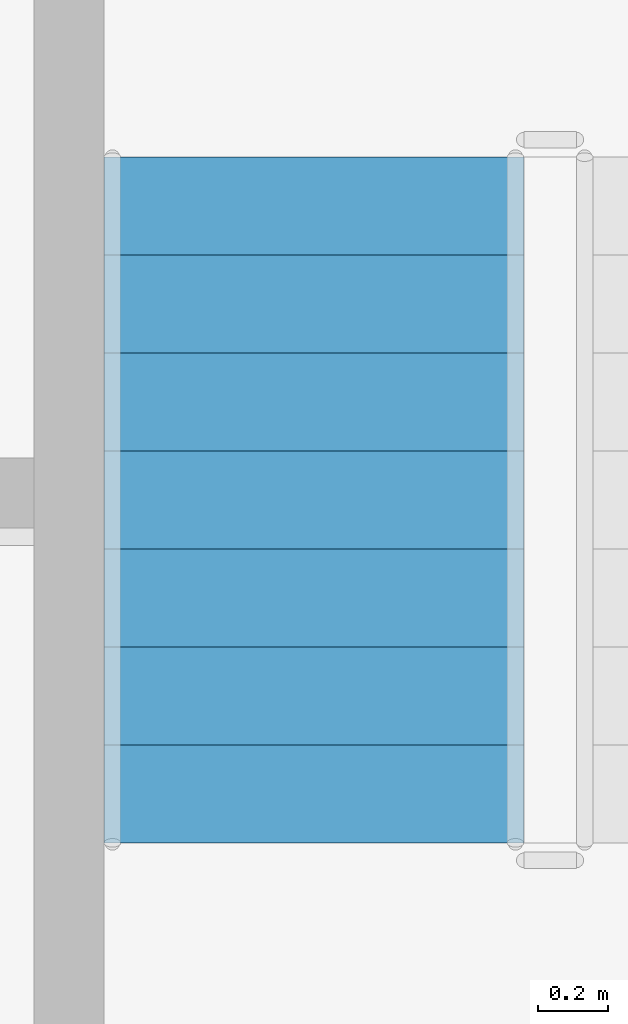
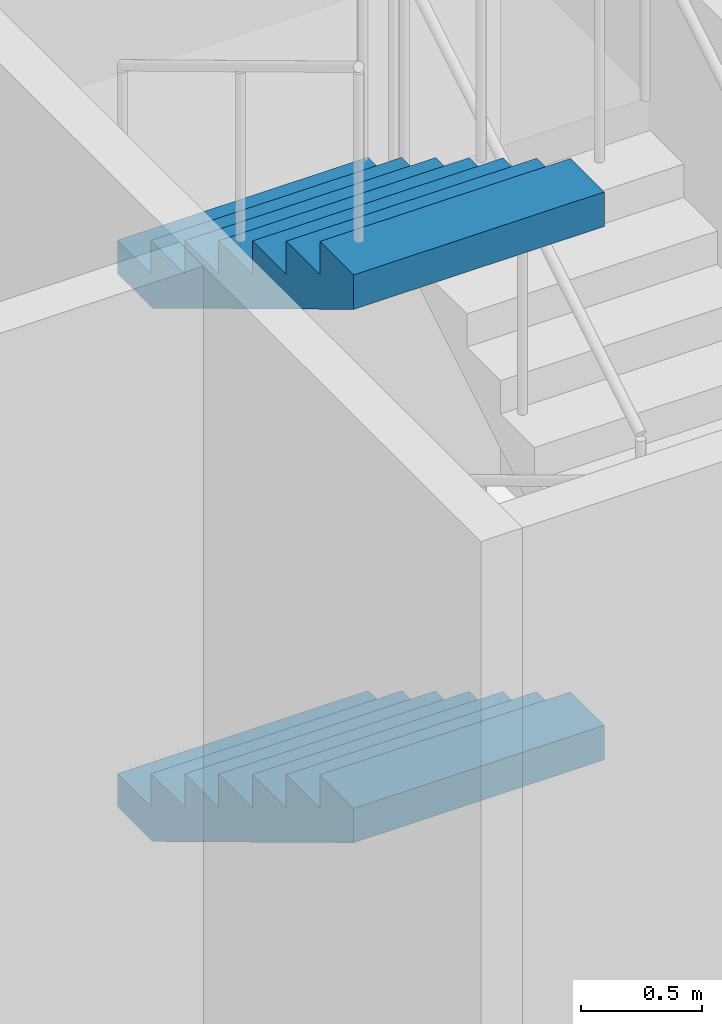
# One storey, part 65 of 101: 2 stair flights, 1 element without a shape of its own.
"""IFC4 building model written with IfcOpenShell, lengths in metres."""

from ifc_helpers import new_model, si_unit, direction, frame, origin, place, context, subcontext, project, spatial, triangles, material, type_object, element, aggregate, save


model = new_model("IFC4")

# Units and contexts
model_context = context("Model", 3, precision=1e-05, world=origin(), true_north=direction((0.0, 1.0)))
body_context = subcontext(model_context, "Body", "Model", "MODEL_VIEW")
ifc_project = project(units=[si_unit("LENGTHUNIT", "METRE"), si_unit("AREAUNIT", "SQUARE_METRE"), si_unit("VOLUMEUNIT", "CUBIC_METRE"), si_unit("PLANEANGLEUNIT", "RADIAN"), si_unit("MASSUNIT", "GRAM", prefix="KILO")], contexts=[model_context])

# Site, building, storey
site_placement = place(None, origin())
site = spatial("IfcSite", under=ifc_project, at=site_placement, CompositionType="ELEMENT")
building_placement = place(site_placement, origin())
building = spatial("IfcBuilding", under=site, at=building_placement, Name="Magnolia Steps Interchange", CompositionType="ELEMENT")
storey_placement = place(building_placement, frame((0.0, 0.0, -5.39990234375)))
storey = spatial("IfcBuildingStorey", under=building, at=storey_placement, Name="B1", CompositionType="ELEMENT", Elevation=-5.39990234375)

# Stair, stair flights
ifc_material_1 = material(Name="Concrete C40", Category="concrete")
stair_type = type_object("IfcStairType", Name="Exit stair 1200", PredefinedType="HALF_TURN_STAIR", material=ifc_material_1)
stair_placement = place(storey_placement, origin())
stair = element("IfcStair", 1, at=stair_placement, inside=storey, type_object=stair_type, Name="B1 Stair 22", PredefinedType="HALF_TURN_STAIR")
ifc_material_2 = material(Name="Concrete C40", Category="concrete")
stair_flight_type = type_object("IfcStairFlightType", Name="Exit stair flight", PredefinedType="STRAIGHT", material=ifc_material_2)
stair_flight_1_placement = place(storey_placement, frame((137.14990234375, 40.659912109375, 1.349853515625), z_axis=(0.0, 0.0, 1.0), x_axis=(0.0, -1.0, 0.0)))
stair_flight_1 = element("IfcStairFlight", 2, at=stair_flight_1_placement, type_object=stair_flight_type, Name="Stair 22 flight 2", NumberOfRisers=8, NumberOfTreads=7, PredefinedType="STRAIGHT", RiserHeight=0.16875, TreadLength=0.28, context=body_context, shape_type="Tessellation", body=[
    triangles([(0.0, -0.5999755859375, 0.0), (0.29052734375, -0.5999755859375, 0.0), (1.9599609375, -0.5999755859375, 1.00634765625), (1.9599609375, -0.5999755859375, 1.18115234375), (1.679931640625, -0.5999755859375, 1.18115234375), (1.679931640625, -0.5999755859375, 1.012451171875), (1.39990234375, -0.5999755859375, 1.012451171875), (1.39990234375, -0.5999755859375, 0.84375), (1.1201171875, -0.5999755859375, 0.84375), (1.1201171875, -0.5999755859375, 0.675048828125), (0.840087890625, -0.5999755859375, 0.675048828125), (0.840087890625, -0.5999755859375, 0.50634765625), (0.56005859375, -0.5999755859375, 0.50634765625), (0.56005859375, -0.5999755859375, 0.33740234375), (0.280029296875, -0.5999755859375, 0.33740234375), (0.280029296875, -0.5999755859375, 0.168701171875), (0.0, -0.5999755859375, 0.168701171875), (0.0, 0.5999755859375, 0.0), (0.29052734375, 0.5999755859375, 0.0), (1.9599609375, 0.5999755859375, 1.00634765625), (1.9599609375, 0.5999755859375, 1.18115234375), (1.679931640625, 0.5999755859375, 1.18115234375), (1.679931640625, 0.5999755859375, 1.012451171875), (1.39990234375, 0.5999755859375, 1.012451171875), (1.39990234375, 0.5999755859375, 0.84375), (1.1201171875, 0.5999755859375, 0.84375), (1.1201171875, 0.5999755859375, 0.675048828125), (0.840087890625, 0.5999755859375, 0.675048828125), (0.840087890625, 0.5999755859375, 0.50634765625), (0.56005859375, 0.5999755859375, 0.50634765625), (0.56005859375, 0.5999755859375, 0.33740234375), (0.280029296875, 0.5999755859375, 0.33740234375), (0.280029296875, 0.5999755859375, 0.168701171875), (0.0, 0.5999755859375, 0.168701171875), (0.0, 0.0, 0.0), (0.0, 0.0, 0.04217529296875), (0.0, 0.0, 0.0843505859375), (0.0, 0.0, 0.12652587890625), (0.0, 0.0, 0.168701171875), (0.0, -0.05, 0.0), (0.0, -0.05, 0.168701171875), (0.0, 0.05, 0.0), (0.0, 0.05, 0.168701171875), (0.046671549479166664, 0.0, 0.168701171875), (0.09334309895833333, 0.0, 0.168701171875), (0.1400146484375, 0.0, 0.168701171875), (0.18668619791666666, 0.0, 0.168701171875), (0.23335774739583334, 0.0, 0.168701171875), (0.280029296875, 0.0, 0.168701171875), (0.280029296875, -0.05, 0.168701171875), (0.280029296875, 0.05, 0.168701171875), (0.280029296875, 0.0, 0.21087646484375), (0.280029296875, 0.0, 0.2530517578125), (0.280029296875, 0.0, 0.29522705078125), (0.280029296875, 0.0, 0.33740234375), (0.280029296875, -0.05, 0.33740234375), (0.280029296875, 0.05, 0.33740234375), (0.3267008463541667, 0.0, 0.33740234375), (0.3733723958333333, 0.0, 0.33740234375), (0.4200439453125, 0.0, 0.33740234375), (0.46671549479166663, 0.0, 0.33740234375), (0.5133870442708334, 0.0, 0.33740234375), (0.56005859375, 0.0, 0.33740234375), (0.56005859375, -0.05, 0.33740234375), (0.56005859375, 0.05, 0.33740234375), (0.56005859375, 0.0, 0.379638671875), (0.56005859375, 0.0, 0.421875), (0.56005859375, 0.0, 0.464111328125), (0.56005859375, 0.0, 0.50634765625), (0.56005859375, -0.05, 0.50634765625), (0.56005859375, 0.05, 0.50634765625), (0.6067301432291666, 0.0, 0.50634765625), (0.6534016927083334, 0.0, 0.50634765625), (0.7000732421875, 0.0, 0.50634765625), (0.7467447916666666, 0.0, 0.50634765625), (0.7934163411458334, 0.0, 0.50634765625), (0.840087890625, 0.0, 0.50634765625), (0.840087890625, -0.05, 0.50634765625), (0.840087890625, 0.05, 0.50634765625), (0.840087890625, 0.0, 0.54852294921875), (0.840087890625, 0.0, 0.5906982421875), (0.840087890625, 0.0, 0.63287353515625), (0.840087890625, 0.0, 0.675048828125), (0.840087890625, -0.05, 0.675048828125), (0.840087890625, 0.05, 0.675048828125), (0.8867594401041666, 0.0, 0.675048828125), (0.9334309895833334, 0.0, 0.675048828125), (0.9801025390625, 0.0, 0.675048828125), (1.0267740885416667, 0.0, 0.675048828125), (1.0734456380208333, 0.0, 0.675048828125), (1.1201171875, 0.0, 0.675048828125), (1.1201171875, -0.05, 0.675048828125), (1.1201171875, 0.05, 0.675048828125), (1.1201171875, 0.0, 0.71722412109375), (1.1201171875, 0.0, 0.7593994140625), (1.1201171875, 0.0, 0.80157470703125), (1.1201171875, 0.0, 0.84375), (1.1201171875, -0.05, 0.84375), (1.1201171875, 0.05, 0.84375), (1.1900634765625, 0.0, 0.84375), (1.260009765625, 0.0, 0.84375), (1.3299560546875, 0.0, 0.84375), (1.39990234375, 0.0, 0.84375), (1.39990234375, -0.05, 0.84375), (1.39990234375, 0.05, 0.84375), (1.39990234375, 0.0, 0.88592529296875), (1.39990234375, 0.0, 0.9281005859375), (1.39990234375, 0.0, 0.97027587890625), (1.39990234375, 0.0, 1.012451171875), (1.39990234375, -0.05, 1.012451171875), (1.39990234375, 0.05, 1.012451171875), (1.4465738932291667, 0.0, 1.012451171875), (1.4932454427083333, 0.0, 1.012451171875), (1.5399169921875, 0.0, 1.012451171875), (1.5865885416666667, 0.0, 1.012451171875), (1.6332600911458333, 0.0, 1.012451171875), (1.679931640625, 0.0, 1.012451171875), (1.679931640625, -0.05, 1.012451171875), (1.679931640625, 0.05, 1.012451171875), (1.679931640625, 0.0, 1.05462646484375), (1.679931640625, 0.0, 1.0968017578125), (1.679931640625, 0.0, 1.13897705078125), (1.679931640625, 0.0, 1.18115234375), (1.679931640625, -0.05, 1.18115234375), (1.679931640625, 0.05, 1.18115234375), (1.7266031901041667, 0.0, 1.18115234375), (1.7732747395833333, 0.0, 1.18115234375), (1.8199462890625, 0.0, 1.18115234375), (1.8666178385416667, 0.0, 1.18115234375), (1.9132893880208333, 0.0, 1.18115234375), (1.9599609375, 0.0, 1.18115234375), (1.9599609375, -0.05, 1.18115234375), (1.9599609375, 0.05, 1.18115234375), (1.9599609375, 0.0, 1.137451171875), (1.9599609375, 0.0, 1.09375), (1.9599609375, 0.0, 1.050048828125), (1.9599609375, 0.0, 1.00634765625), (1.9599609375, -0.05, 1.00634765625), (1.9599609375, 0.05, 1.00634765625), (1.9003383091517858, 0.0, 0.9704066685267857), (1.8407156808035714, 0.0, 0.9344656808035714), (1.7810930524553572, 0.0, 0.8985246930803571), (1.7214704241071428, 0.0, 0.8625837053571428), (1.6618477957589286, 0.0, 0.8266427176339286), (1.6022251674107144, 0.0, 0.7907017299107143), (1.5426025390625, 0.0, 0.7547607421875), (1.4829799107142856, 0.0, 0.7188197544642857), (1.4233572823660714, 0.0, 0.6828787667410714), (1.3637346540178572, 0.0, 0.6469377790178572), (1.3041120256696428, 0.0, 0.6109967912946428), (1.2444893973214286, 0.0, 0.5750558035714286), (1.1848667689732144, 0.0, 0.5391148158482143), (1.125244140625, 0.0, 0.503173828125), (1.0656215122767856, 0.0, 0.4672328404017857), (1.0059988839285714, 0.0, 0.4312918526785714), (0.9463762555803572, 0.0, 0.3953508649553571), (0.8867536272321428, 0.0, 0.3594098772321429), (0.8271309988839286, 0.0, 0.3234688895089286), (0.7675083705357142, 0.0, 0.2875279017857143), (0.7078857421875, 0.0, 0.2515869140625), (0.6482631138392858, 0.0, 0.2156459263392857), (0.5886404854910714, 0.0, 0.1797049386160714), (0.5290178571428572, 0.0, 0.1437639508928571), (0.4693952287946428, 0.0, 0.1078229631696429), (0.4097726004464286, 0.0, 0.0718819754464286), (0.3501499720982142, 0.0, 0.0359409877232143), (0.29052734375, 0.0, 0.0), (0.29052734375, -0.05, 0.0), (0.29052734375, 0.05, 0.0), (0.24210611979166666, 0.0, 0.0), (0.19368489583333331, 0.0, 0.0), (0.145263671875, 0.0, 0.0), (0.09684244791666666, 0.0, 0.0), (0.04842122395833334, 0.0, 0.0)], [[1, 2, 3], [3, 4, 5], [3, 5, 6], [3, 6, 7], [3, 7, 8], [8, 9, 10], [3, 8, 10], [10, 11, 12], [3, 10, 12], [12, 13, 14], [3, 12, 14], [14, 15, 16], [3, 14, 16], [1, 3, 16], [16, 17, 1], [18, 20, 19], [20, 22, 21], [20, 23, 22], [20, 24, 23], [20, 25, 24], [25, 27, 26], [20, 27, 25], [27, 29, 28], [20, 29, 27], [29, 31, 30], [20, 31, 29], [31, 33, 32], [20, 33, 31], [18, 33, 20], [33, 18, 34], [1, 17, 41], [1, 41, 40], [40, 36, 35], [40, 37, 36], [40, 41, 37], [41, 38, 37], [41, 39, 38], [18, 43, 34], [18, 42, 43], [42, 35, 36], [42, 36, 37], [42, 37, 43], [43, 37, 38], [43, 38, 39], [17, 16, 50], [17, 50, 41], [41, 44, 39], [41, 45, 44], [41, 46, 45], [41, 50, 46], [50, 47, 46], [50, 48, 47], [50, 49, 48], [34, 51, 33], [34, 43, 51], [43, 39, 44], [43, 44, 45], [43, 45, 46], [43, 46, 51], [51, 46, 47], [51, 47, 48], [51, 48, 49], [16, 15, 56], [16, 56, 50], [50, 52, 49], [50, 53, 52], [50, 56, 53], [56, 54, 53], [56, 55, 54], [33, 57, 32], [33, 51, 57], [51, 49, 52], [51, 52, 53], [51, 53, 57], [57, 53, 54], [57, 54, 55], [15, 14, 64], [15, 64, 56], [56, 58, 55], [56, 59, 58], [56, 60, 59], [56, 64, 60], [64, 61, 60], [64, 62, 61], [64, 63, 62], [32, 65, 31], [32, 57, 65], [57, 55, 58], [57, 58, 59], [57, 59, 60], [57, 60, 65], [65, 60, 61], [65, 61, 62], [65, 62, 63], [14, 13, 70], [14, 70, 64], [64, 66, 63], [64, 67, 66], [64, 70, 67], [70, 68, 67], [70, 69, 68], [31, 71, 30], [31, 65, 71], [65, 63, 66], [65, 66, 67], [65, 67, 71], [71, 67, 68], [71, 68, 69], [13, 12, 78], [13, 78, 70], [70, 72, 69], [70, 73, 72], [70, 74, 73], [70, 78, 74], [78, 75, 74], [78, 76, 75], [78, 77, 76], [30, 79, 29], [30, 71, 79], [71, 69, 72], [71, 72, 73], [71, 73, 74], [71, 74, 79], [79, 74, 75], [79, 75, 76], [79, 76, 77], [12, 11, 84], [12, 84, 78], [78, 80, 77], [78, 81, 80], [78, 84, 81], [84, 82, 81], [84, 83, 82], [29, 85, 28], [29, 79, 85], [79, 77, 80], [79, 80, 81], [79, 81, 85], [85, 81, 82], [85, 82, 83], [11, 10, 92], [11, 92, 84], [84, 86, 83], [84, 87, 86], [84, 88, 87], [84, 92, 88], [92, 89, 88], [92, 90, 89], [92, 91, 90], [28, 93, 27], [28, 85, 93], [85, 83, 86], [85, 86, 87], [85, 87, 88], [85, 88, 93], [93, 88, 89], [93, 89, 90], [93, 90, 91], [10, 9, 98], [10, 98, 92], [92, 94, 91], [92, 95, 94], [92, 98, 95], [98, 96, 95], [98, 97, 96], [27, 99, 26], [27, 93, 99], [93, 91, 94], [93, 94, 95], [93, 95, 99], [99, 95, 96], [99, 96, 97], [9, 8, 104], [9, 104, 98], [98, 100, 97], [98, 101, 100], [98, 104, 101], [104, 102, 101], [104, 103, 102], [26, 105, 25], [26, 99, 105], [99, 97, 100], [99, 100, 101], [99, 101, 105], [105, 101, 102], [105, 102, 103], [8, 7, 110], [8, 110, 104], [104, 106, 103], [104, 107, 106], [104, 110, 107], [110, 108, 107], [110, 109, 108], [25, 111, 24], [25, 105, 111], [105, 103, 106], [105, 106, 107], [105, 107, 111], [111, 107, 108], [111, 108, 109], [7, 6, 118], [7, 118, 110], [110, 112, 109], [110, 113, 112], [110, 114, 113], [110, 118, 114], [118, 115, 114], [118, 116, 115], [118, 117, 116], [24, 119, 23], [24, 111, 119], [111, 109, 112], [111, 112, 113], [111, 113, 114], [111, 114, 119], [119, 114, 115], [119, 115, 116], [119, 116, 117], [6, 5, 124], [6, 124, 118], [118, 120, 117], [118, 121, 120], [118, 124, 121], [124, 122, 121], [124, 123, 122], [23, 125, 22], [23, 119, 125], [119, 117, 120], [119, 120, 121], [119, 121, 125], [125, 121, 122], [125, 122, 123], [5, 4, 132], [5, 132, 124], [124, 126, 123], [124, 127, 126], [124, 128, 127], [124, 132, 128], [132, 129, 128], [132, 130, 129], [132, 131, 130], [22, 133, 21], [22, 125, 133], [125, 123, 126], [125, 126, 127], [125, 127, 128], [125, 128, 133], [133, 128, 129], [133, 129, 130], [133, 130, 131], [4, 3, 138], [4, 138, 132], [132, 134, 131], [132, 135, 134], [132, 138, 135], [138, 136, 135], [138, 137, 136], [21, 139, 20], [21, 133, 139], [133, 131, 134], [133, 134, 135], [133, 135, 139], [139, 135, 136], [139, 136, 137], [3, 2, 168], [3, 168, 138], [138, 140, 137], [138, 141, 140], [138, 142, 141], [138, 143, 142], [138, 144, 143], [138, 145, 144], [138, 146, 145], [138, 147, 146], [138, 148, 147], [138, 149, 148], [138, 150, 149], [138, 151, 150], [138, 152, 151], [138, 153, 152], [138, 168, 153], [168, 154, 153], [168, 155, 154], [168, 156, 155], [168, 157, 156], [168, 158, 157], [168, 159, 158], [168, 160, 159], [168, 161, 160], [168, 162, 161], [168, 163, 162], [168, 164, 163], [168, 165, 164], [168, 166, 165], [168, 167, 166], [20, 169, 19], [20, 139, 169], [139, 137, 140], [139, 140, 141], [139, 141, 142], [139, 142, 143], [139, 143, 144], [139, 144, 145], [139, 145, 146], [139, 146, 147], [139, 147, 148], [139, 148, 149], [139, 149, 150], [139, 150, 151], [139, 151, 152], [139, 152, 153], [139, 153, 169], [169, 153, 154], [169, 154, 155], [169, 155, 156], [169, 156, 157], [169, 157, 158], [169, 158, 159], [169, 159, 160], [169, 160, 161], [169, 161, 162], [169, 162, 163], [169, 163, 164], [169, 164, 165], [169, 165, 166], [169, 166, 167], [2, 1, 40], [2, 40, 168], [168, 170, 167], [168, 171, 170], [168, 172, 171], [168, 40, 172], [40, 173, 172], [40, 174, 173], [40, 35, 174], [19, 42, 18], [19, 169, 42], [169, 167, 170], [169, 170, 171], [169, 171, 172], [169, 172, 42], [42, 172, 173], [42, 173, 174], [42, 174, 35]], closed=True),
])
stair_flight_2_placement = place(storey_placement, frame((137.14990234375, 40.659912109375, 4.0498046875), z_axis=(0.0, 0.0, 1.0), x_axis=(0.0, -1.0, 0.0)))
stair_flight_2 = element("IfcStairFlight", 3, at=stair_flight_2_placement, type_object=stair_flight_type, Name="Stair 22 flight 4", NumberOfRisers=8, NumberOfTreads=7, PredefinedType="STRAIGHT", RiserHeight=0.16875, TreadLength=0.28, context=body_context, shape_type="Tessellation", body=[
    triangles([(0.0, -0.5999755859375, 0.0), (0.29052734375, -0.5999755859375, 0.0), (1.9599609375, -0.5999755859375, 1.00634765625), (1.9599609375, -0.5999755859375, 1.18115234375), (1.679931640625, -0.5999755859375, 1.18115234375), (1.679931640625, -0.5999755859375, 1.012451171875), (1.39990234375, -0.5999755859375, 1.012451171875), (1.39990234375, -0.5999755859375, 0.84375), (1.1201171875, -0.5999755859375, 0.84375), (1.1201171875, -0.5999755859375, 0.675048828125), (0.840087890625, -0.5999755859375, 0.675048828125), (0.840087890625, -0.5999755859375, 0.50634765625), (0.56005859375, -0.5999755859375, 0.50634765625), (0.56005859375, -0.5999755859375, 0.33740234375), (0.280029296875, -0.5999755859375, 0.33740234375), (0.280029296875, -0.5999755859375, 0.168701171875), (0.0, -0.5999755859375, 0.168701171875), (0.0, 0.5999755859375, 0.0), (0.29052734375, 0.5999755859375, 0.0), (1.9599609375, 0.5999755859375, 1.00634765625), (1.9599609375, 0.5999755859375, 1.18115234375), (1.679931640625, 0.5999755859375, 1.18115234375), (1.679931640625, 0.5999755859375, 1.012451171875), (1.39990234375, 0.5999755859375, 1.012451171875), (1.39990234375, 0.5999755859375, 0.84375), (1.1201171875, 0.5999755859375, 0.84375), (1.1201171875, 0.5999755859375, 0.675048828125), (0.840087890625, 0.5999755859375, 0.675048828125), (0.840087890625, 0.5999755859375, 0.50634765625), (0.56005859375, 0.5999755859375, 0.50634765625), (0.56005859375, 0.5999755859375, 0.33740234375), (0.280029296875, 0.5999755859375, 0.33740234375), (0.280029296875, 0.5999755859375, 0.168701171875), (0.0, 0.5999755859375, 0.168701171875), (0.0, 0.0, 0.0), (0.0, 0.0, 0.04217529296875), (0.0, 0.0, 0.0843505859375), (0.0, 0.0, 0.12652587890625), (0.0, 0.0, 0.168701171875), (0.0, -0.05, 0.0), (0.0, -0.05, 0.168701171875), (0.0, 0.05, 0.0), (0.0, 0.05, 0.168701171875), (0.046671549479166664, 0.0, 0.168701171875), (0.09334309895833333, 0.0, 0.168701171875), (0.1400146484375, 0.0, 0.168701171875), (0.18668619791666666, 0.0, 0.168701171875), (0.23335774739583334, 0.0, 0.168701171875), (0.280029296875, 0.0, 0.168701171875), (0.280029296875, -0.05, 0.168701171875), (0.280029296875, 0.05, 0.168701171875), (0.280029296875, 0.0, 0.21087646484375), (0.280029296875, 0.0, 0.2530517578125), (0.280029296875, 0.0, 0.29522705078125), (0.280029296875, 0.0, 0.33740234375), (0.280029296875, -0.05, 0.33740234375), (0.280029296875, 0.05, 0.33740234375), (0.3267008463541667, 0.0, 0.33740234375), (0.3733723958333333, 0.0, 0.33740234375), (0.4200439453125, 0.0, 0.33740234375), (0.46671549479166663, 0.0, 0.33740234375), (0.5133870442708334, 0.0, 0.33740234375), (0.56005859375, 0.0, 0.33740234375), (0.56005859375, -0.05, 0.33740234375), (0.56005859375, 0.05, 0.33740234375), (0.56005859375, 0.0, 0.379638671875), (0.56005859375, 0.0, 0.421875), (0.56005859375, 0.0, 0.464111328125), (0.56005859375, 0.0, 0.50634765625), (0.56005859375, -0.05, 0.50634765625), (0.56005859375, 0.05, 0.50634765625), (0.6067301432291666, 0.0, 0.50634765625), (0.6534016927083334, 0.0, 0.50634765625), (0.7000732421875, 0.0, 0.50634765625), (0.7467447916666666, 0.0, 0.50634765625), (0.7934163411458334, 0.0, 0.50634765625), (0.840087890625, 0.0, 0.50634765625), (0.840087890625, -0.05, 0.50634765625), (0.840087890625, 0.05, 0.50634765625), (0.840087890625, 0.0, 0.54852294921875), (0.840087890625, 0.0, 0.5906982421875), (0.840087890625, 0.0, 0.63287353515625), (0.840087890625, 0.0, 0.675048828125), (0.840087890625, -0.05, 0.675048828125), (0.840087890625, 0.05, 0.675048828125), (0.8867594401041666, 0.0, 0.675048828125), (0.9334309895833334, 0.0, 0.675048828125), (0.9801025390625, 0.0, 0.675048828125), (1.0267740885416667, 0.0, 0.675048828125), (1.0734456380208333, 0.0, 0.675048828125), (1.1201171875, 0.0, 0.675048828125), (1.1201171875, -0.05, 0.675048828125), (1.1201171875, 0.05, 0.675048828125), (1.1201171875, 0.0, 0.71722412109375), (1.1201171875, 0.0, 0.7593994140625), (1.1201171875, 0.0, 0.80157470703125), (1.1201171875, 0.0, 0.84375), (1.1201171875, -0.05, 0.84375), (1.1201171875, 0.05, 0.84375), (1.1900634765625, 0.0, 0.84375), (1.260009765625, 0.0, 0.84375), (1.3299560546875, 0.0, 0.84375), (1.39990234375, 0.0, 0.84375), (1.39990234375, -0.05, 0.84375), (1.39990234375, 0.05, 0.84375), (1.39990234375, 0.0, 0.88592529296875), (1.39990234375, 0.0, 0.9281005859375), (1.39990234375, 0.0, 0.97027587890625), (1.39990234375, 0.0, 1.012451171875), (1.39990234375, -0.05, 1.012451171875), (1.39990234375, 0.05, 1.012451171875), (1.4465738932291667, 0.0, 1.012451171875), (1.4932454427083333, 0.0, 1.012451171875), (1.5399169921875, 0.0, 1.012451171875), (1.5865885416666667, 0.0, 1.012451171875), (1.6332600911458333, 0.0, 1.012451171875), (1.679931640625, 0.0, 1.012451171875), (1.679931640625, -0.05, 1.012451171875), (1.679931640625, 0.05, 1.012451171875), (1.679931640625, 0.0, 1.05462646484375), (1.679931640625, 0.0, 1.0968017578125), (1.679931640625, 0.0, 1.13897705078125), (1.679931640625, 0.0, 1.18115234375), (1.679931640625, -0.05, 1.18115234375), (1.679931640625, 0.05, 1.18115234375), (1.7266031901041667, 0.0, 1.18115234375), (1.7732747395833333, 0.0, 1.18115234375), (1.8199462890625, 0.0, 1.18115234375), (1.8666178385416667, 0.0, 1.18115234375), (1.9132893880208333, 0.0, 1.18115234375), (1.9599609375, 0.0, 1.18115234375), (1.9599609375, -0.05, 1.18115234375), (1.9599609375, 0.05, 1.18115234375), (1.9599609375, 0.0, 1.137451171875), (1.9599609375, 0.0, 1.09375), (1.9599609375, 0.0, 1.050048828125), (1.9599609375, 0.0, 1.00634765625), (1.9599609375, -0.05, 1.00634765625), (1.9599609375, 0.05, 1.00634765625), (1.9003383091517858, 0.0, 0.9704066685267857), (1.8407156808035714, 0.0, 0.9344656808035714), (1.7810930524553572, 0.0, 0.8985246930803571), (1.7214704241071428, 0.0, 0.8625837053571428), (1.6618477957589286, 0.0, 0.8266427176339286), (1.6022251674107144, 0.0, 0.7907017299107143), (1.5426025390625, 0.0, 0.7547607421875), (1.4829799107142856, 0.0, 0.7188197544642857), (1.4233572823660714, 0.0, 0.6828787667410714), (1.3637346540178572, 0.0, 0.6469377790178572), (1.3041120256696428, 0.0, 0.6109967912946428), (1.2444893973214286, 0.0, 0.5750558035714286), (1.1848667689732144, 0.0, 0.5391148158482143), (1.125244140625, 0.0, 0.503173828125), (1.0656215122767856, 0.0, 0.4672328404017857), (1.0059988839285714, 0.0, 0.4312918526785714), (0.9463762555803572, 0.0, 0.3953508649553571), (0.8867536272321428, 0.0, 0.3594098772321429), (0.8271309988839286, 0.0, 0.3234688895089286), (0.7675083705357142, 0.0, 0.2875279017857143), (0.7078857421875, 0.0, 0.2515869140625), (0.6482631138392858, 0.0, 0.2156459263392857), (0.5886404854910714, 0.0, 0.1797049386160714), (0.5290178571428572, 0.0, 0.1437639508928571), (0.4693952287946428, 0.0, 0.1078229631696429), (0.4097726004464286, 0.0, 0.0718819754464286), (0.3501499720982142, 0.0, 0.0359409877232143), (0.29052734375, 0.0, 0.0), (0.29052734375, -0.05, 0.0), (0.29052734375, 0.05, 0.0), (0.24210611979166666, 0.0, 0.0), (0.19368489583333331, 0.0, 0.0), (0.145263671875, 0.0, 0.0), (0.09684244791666666, 0.0, 0.0), (0.04842122395833334, 0.0, 0.0)], [[1, 2, 3], [3, 4, 5], [3, 5, 6], [3, 6, 7], [3, 7, 8], [8, 9, 10], [3, 8, 10], [10, 11, 12], [3, 10, 12], [12, 13, 14], [3, 12, 14], [14, 15, 16], [3, 14, 16], [1, 3, 16], [16, 17, 1], [18, 20, 19], [20, 22, 21], [20, 23, 22], [20, 24, 23], [20, 25, 24], [25, 27, 26], [20, 27, 25], [27, 29, 28], [20, 29, 27], [29, 31, 30], [20, 31, 29], [31, 33, 32], [20, 33, 31], [18, 33, 20], [33, 18, 34], [1, 17, 41], [1, 41, 40], [40, 36, 35], [40, 37, 36], [40, 41, 37], [41, 38, 37], [41, 39, 38], [18, 43, 34], [18, 42, 43], [42, 35, 36], [42, 36, 37], [42, 37, 43], [43, 37, 38], [43, 38, 39], [17, 16, 50], [17, 50, 41], [41, 44, 39], [41, 45, 44], [41, 46, 45], [41, 50, 46], [50, 47, 46], [50, 48, 47], [50, 49, 48], [34, 51, 33], [34, 43, 51], [43, 39, 44], [43, 44, 45], [43, 45, 46], [43, 46, 51], [51, 46, 47], [51, 47, 48], [51, 48, 49], [16, 15, 56], [16, 56, 50], [50, 52, 49], [50, 53, 52], [50, 56, 53], [56, 54, 53], [56, 55, 54], [33, 57, 32], [33, 51, 57], [51, 49, 52], [51, 52, 53], [51, 53, 57], [57, 53, 54], [57, 54, 55], [15, 14, 64], [15, 64, 56], [56, 58, 55], [56, 59, 58], [56, 60, 59], [56, 64, 60], [64, 61, 60], [64, 62, 61], [64, 63, 62], [32, 65, 31], [32, 57, 65], [57, 55, 58], [57, 58, 59], [57, 59, 60], [57, 60, 65], [65, 60, 61], [65, 61, 62], [65, 62, 63], [14, 13, 70], [14, 70, 64], [64, 66, 63], [64, 67, 66], [64, 70, 67], [70, 68, 67], [70, 69, 68], [31, 71, 30], [31, 65, 71], [65, 63, 66], [65, 66, 67], [65, 67, 71], [71, 67, 68], [71, 68, 69], [13, 12, 78], [13, 78, 70], [70, 72, 69], [70, 73, 72], [70, 74, 73], [70, 78, 74], [78, 75, 74], [78, 76, 75], [78, 77, 76], [30, 79, 29], [30, 71, 79], [71, 69, 72], [71, 72, 73], [71, 73, 74], [71, 74, 79], [79, 74, 75], [79, 75, 76], [79, 76, 77], [12, 11, 84], [12, 84, 78], [78, 80, 77], [78, 81, 80], [78, 84, 81], [84, 82, 81], [84, 83, 82], [29, 85, 28], [29, 79, 85], [79, 77, 80], [79, 80, 81], [79, 81, 85], [85, 81, 82], [85, 82, 83], [11, 10, 92], [11, 92, 84], [84, 86, 83], [84, 87, 86], [84, 88, 87], [84, 92, 88], [92, 89, 88], [92, 90, 89], [92, 91, 90], [28, 93, 27], [28, 85, 93], [85, 83, 86], [85, 86, 87], [85, 87, 88], [85, 88, 93], [93, 88, 89], [93, 89, 90], [93, 90, 91], [10, 9, 98], [10, 98, 92], [92, 94, 91], [92, 95, 94], [92, 98, 95], [98, 96, 95], [98, 97, 96], [27, 99, 26], [27, 93, 99], [93, 91, 94], [93, 94, 95], [93, 95, 99], [99, 95, 96], [99, 96, 97], [9, 8, 104], [9, 104, 98], [98, 100, 97], [98, 101, 100], [98, 104, 101], [104, 102, 101], [104, 103, 102], [26, 105, 25], [26, 99, 105], [99, 97, 100], [99, 100, 101], [99, 101, 105], [105, 101, 102], [105, 102, 103], [8, 7, 110], [8, 110, 104], [104, 106, 103], [104, 107, 106], [104, 110, 107], [110, 108, 107], [110, 109, 108], [25, 111, 24], [25, 105, 111], [105, 103, 106], [105, 106, 107], [105, 107, 111], [111, 107, 108], [111, 108, 109], [7, 6, 118], [7, 118, 110], [110, 112, 109], [110, 113, 112], [110, 114, 113], [110, 118, 114], [118, 115, 114], [118, 116, 115], [118, 117, 116], [24, 119, 23], [24, 111, 119], [111, 109, 112], [111, 112, 113], [111, 113, 114], [111, 114, 119], [119, 114, 115], [119, 115, 116], [119, 116, 117], [6, 5, 124], [6, 124, 118], [118, 120, 117], [118, 121, 120], [118, 124, 121], [124, 122, 121], [124, 123, 122], [23, 125, 22], [23, 119, 125], [119, 117, 120], [119, 120, 121], [119, 121, 125], [125, 121, 122], [125, 122, 123], [5, 4, 132], [5, 132, 124], [124, 126, 123], [124, 127, 126], [124, 128, 127], [124, 132, 128], [132, 129, 128], [132, 130, 129], [132, 131, 130], [22, 133, 21], [22, 125, 133], [125, 123, 126], [125, 126, 127], [125, 127, 128], [125, 128, 133], [133, 128, 129], [133, 129, 130], [133, 130, 131], [4, 3, 138], [4, 138, 132], [132, 134, 131], [132, 135, 134], [132, 138, 135], [138, 136, 135], [138, 137, 136], [21, 139, 20], [21, 133, 139], [133, 131, 134], [133, 134, 135], [133, 135, 139], [139, 135, 136], [139, 136, 137], [3, 2, 168], [3, 168, 138], [138, 140, 137], [138, 141, 140], [138, 142, 141], [138, 143, 142], [138, 144, 143], [138, 145, 144], [138, 146, 145], [138, 147, 146], [138, 148, 147], [138, 149, 148], [138, 150, 149], [138, 151, 150], [138, 152, 151], [138, 153, 152], [138, 168, 153], [168, 154, 153], [168, 155, 154], [168, 156, 155], [168, 157, 156], [168, 158, 157], [168, 159, 158], [168, 160, 159], [168, 161, 160], [168, 162, 161], [168, 163, 162], [168, 164, 163], [168, 165, 164], [168, 166, 165], [168, 167, 166], [20, 169, 19], [20, 139, 169], [139, 137, 140], [139, 140, 141], [139, 141, 142], [139, 142, 143], [139, 143, 144], [139, 144, 145], [139, 145, 146], [139, 146, 147], [139, 147, 148], [139, 148, 149], [139, 149, 150], [139, 150, 151], [139, 151, 152], [139, 152, 153], [139, 153, 169], [169, 153, 154], [169, 154, 155], [169, 155, 156], [169, 156, 157], [169, 157, 158], [169, 158, 159], [169, 159, 160], [169, 160, 161], [169, 161, 162], [169, 162, 163], [169, 163, 164], [169, 164, 165], [169, 165, 166], [169, 166, 167], [2, 1, 40], [2, 40, 168], [168, 170, 167], [168, 171, 170], [168, 172, 171], [168, 40, 172], [40, 173, 172], [40, 174, 173], [40, 35, 174], [19, 42, 18], [19, 169, 42], [169, 167, 170], [169, 170, 171], [169, 171, 172], [169, 172, 42], [42, 172, 173], [42, 173, 174], [42, 174, 35]], closed=True),
])
aggregate(stair, [stair_flight_1, stair_flight_2])

save(model, "model.ifc")
